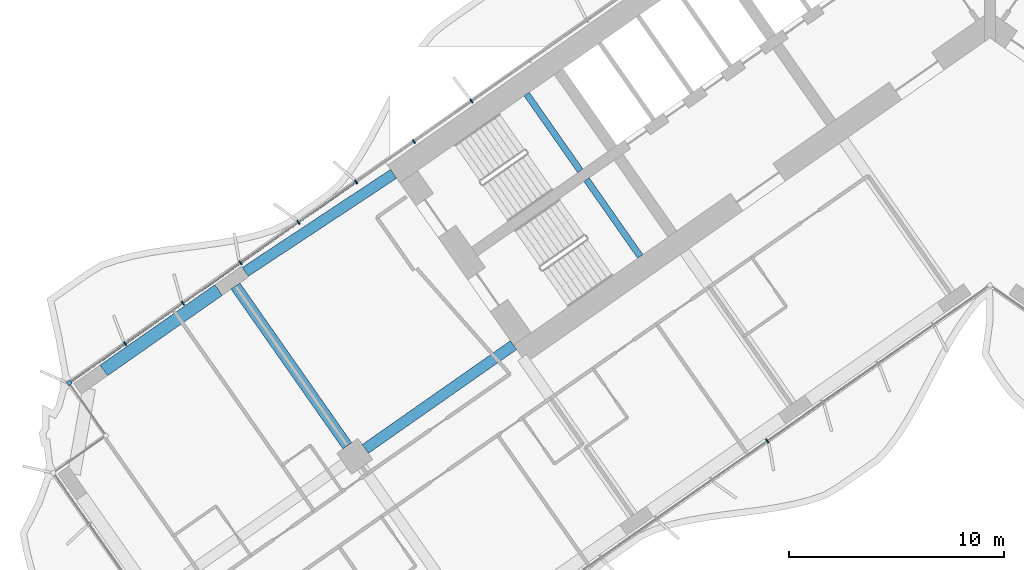
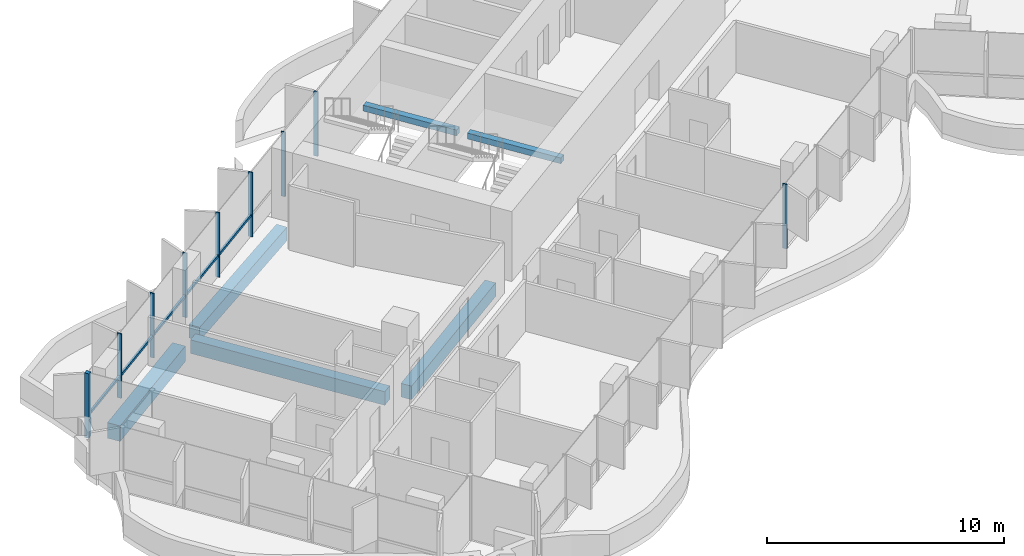
# One storey, part 4 of 24: 10 members, 6 beams, 2 elements without a shape of their own.
"""IFC4 building model written with IfcOpenShell, lengths in metres."""

from ifc_helpers import new_model, si_unit, direction, frame, origin, origin_2d, place, context, subcontext, project, spatial, rectangle, extrude, material, material_profile, profile_set, type_object, element, aggregate, save


model = new_model("IFC4")

# Units and contexts
model_context = context("Model", 3, precision=1e-05, world=origin(), true_north=direction((0.0, 1.0)))
body_context = subcontext(model_context, "Body", "Model", "MODEL_VIEW")
ifc_project = project(units=[si_unit("LENGTHUNIT", "METRE"), si_unit("AREAUNIT", "SQUARE_METRE"), si_unit("VOLUMEUNIT", "CUBIC_METRE"), si_unit("PLANEANGLEUNIT", "RADIAN"), si_unit("MASSUNIT", "GRAM", prefix="KILO")], contexts=[model_context])

# Site, building, storey
site_placement = place(None, origin())
site = spatial("IfcSite", under=ifc_project, at=site_placement, CompositionType="ELEMENT")
building_placement = place(site_placement, origin())
building = spatial("IfcBuilding", under=site, at=building_placement, Name="Tel Ilan Convention Tower", CompositionType="ELEMENT")
storey_placement = place(building_placement, frame((0.0, 0.0, 65.300048828125)))
storey = spatial("IfcBuildingStorey", under=building, at=storey_placement, Name="L11", CompositionType="ELEMENT", Elevation=65.300048828125)

# Beams
ifc_material_1 = material(Name="Concrete C40/50", Category="concrete")
ifc_material_profile_1 = material_profile(ifc_material_1, rectangle(XDim=0.5, YDim=0.699951171875, at=origin_2d()), Name="RC 500x700")
ifc_profile_set_1 = profile_set([ifc_material_profile_1], Name="Concrete C40/50")
beam_type_1 = type_object("IfcBeamType", Name="Beam RC 500x700 Concrete C40/50", PredefinedType="BEAM", material=ifc_profile_set_1)
beam_1_placement = place(storey_placement, frame((-34.570556640625, -12.08447265625, -0.630126953125), z_axis=(0.834273603487, 0.551350663847, 0.0), x_axis=(-0.551350663847, 0.834273603487, 0.0)))
element("IfcBeam", 1, at=beam_1_placement, inside=storey, type_object=beam_type_1, Name="L11 beam W-W-B4-core", PredefinedType="BEAM", context=body_context, shape_type="SweptSolid", body=[
    extrude(rectangle(XDim=0.5, YDim=0.699951171875, at=origin_2d()), origin(), (0.0, 0.0, 1.0), 8.2529296875),
])
beam_2_placement = place(storey_placement, frame((-22.1171875, -15.486572265625, -0.630126953125), z_axis=(-0.819147254605, -0.573583276668, 0.0), x_axis=(0.573583276668, -0.819147254605, 0.0)))
element("IfcBeam", 2, at=beam_2_placement, inside=storey, type_object=beam_type_1, Name="L11 beam W-core-W-M4", PredefinedType="BEAM", context=body_context, shape_type="SweptSolid", body=[
    extrude(rectangle(XDim=0.5, YDim=0.699951171875, at=origin_2d()), origin(), (0.0, 0.0, 1.0), 8.400146484375),
])
beam_3_placement = place(storey_placement, frame((-29.83349609375, -20.1572265625, -0.630126953125), z_axis=(-0.57358002233, 0.819149533348, 0.0), x_axis=(-0.819149533348, -0.57358002233, 0.0)))
element("IfcBeam", 3, at=beam_3_placement, inside=storey, type_object=beam_type_1, Name="L11 beam W-W-M4-W-B4", PredefinedType="BEAM", context=body_context, shape_type="SweptSolid", body=[
    extrude(rectangle(XDim=0.5, YDim=0.699951171875, at=origin_2d()), origin(), (0.0, 0.0, 1.0), 9.050048828125),
])
ifc_material_2 = material(Name="Concrete C40/50", Category="concrete")
ifc_material_profile_2 = material_profile(ifc_material_2, rectangle(XDim=0.60009765625, YDim=0.800048828125, at=origin_2d()), Name="RC 600x800")
ifc_profile_set_2 = profile_set([ifc_material_profile_2], Name="Concrete C40/50")
beam_type_2 = type_object("IfcBeamType", Name="Beam RC 600x800 Concrete C40/50", PredefinedType="BEAM", material=ifc_profile_set_2)
beam_4_placement = place(storey_placement, frame((-41.135498046875, -16.656494140625, -0.679931640625), z_axis=(0.819178980414, 0.573537965655, 0.0), x_axis=(-0.573537965655, 0.819178980414, 0.0)))
element("IfcBeam", 4, at=beam_4_placement, inside=storey, type_object=beam_type_2, Name="L11 beam W-W-BC-W-B4", PredefinedType="BEAM", context=body_context, shape_type="SweptSolid", body=[
    extrude(rectangle(XDim=0.60009765625, YDim=0.800048828125, at=origin_2d()), origin(), (0.0, 0.0, 1.0), 6.5),
])

# Curtain wall, member
ifc_material_3 = material(Name="Aluminium, bronze anodised", Category="aluminium")
curtain_wall_type_1 = type_object("IfcCurtainWallType", Name="CW1 UNITISED CURTAIN WALL, HOTEL TINTED GLASS", PredefinedType="NOTDEFINED", material=ifc_material_3)
curtain_wall_1_placement = place(storey_placement, origin())
curtain_wall_1 = element("IfcCurtainWall", 5, at=curtain_wall_1_placement, inside=storey, type_object=curtain_wall_type_1, Name="Curtain wall CW1-12.02", PredefinedType="NOTDEFINED")
ifc_material_4 = material(Name="Aluminium, bronze anodised", Category="aluminium")
ifc_material_profile_3 = material_profile(ifc_material_4, rectangle(XDim=0.199951171875, YDim=0.199951171875, at=origin_2d()), Name="CW CORNER MULLION 200x200")
ifc_profile_set_3 = profile_set([ifc_material_profile_3], Name="Aluminium, bronze anodised")
member_type_1 = type_object("IfcMemberType", Name="CW CORNER MULLION 200x200", PredefinedType="MULLION", material=ifc_profile_set_3)
member_1_placement = place(storey_placement, frame((-42.7451171875, -17.234375, 0.0), z_axis=(0.0, 0.0, 1.0), x_axis=(-0.819152044289, -0.573576436351, 0.0)))
member_1 = element("IfcMember", 6, at=member_1_placement, type_object=member_type_1, Name="Corner mullion", PredefinedType="MULLION", context=body_context, shape_type="SweptSolid", body=[
    extrude(rectangle(XDim=0.199951171875, YDim=0.199951171875, at=origin_2d()), origin(), (0.0, 0.0, 1.0), 3.320068359375),
])

# Curtain wall, members
ifc_material_5 = material(Name="Aluminium, bronze anodised", Category="aluminium")
curtain_wall_type_2 = type_object("IfcCurtainWallType", Name="CW2 STICK CURTAIN WALL, SPANDREL PANELS", PredefinedType="NOTDEFINED", material=ifc_material_5)
curtain_wall_2_placement = place(storey_placement, origin())
curtain_wall_2 = element("IfcCurtainWall", 7, at=curtain_wall_2_placement, inside=storey, type_object=curtain_wall_type_2, Name="Curtain wall CW2-12.01", PredefinedType="NOTDEFINED")
ifc_material_6 = material(Name="Aluminium, bronze anodised", Category="aluminium")
ifc_material_profile_4 = material_profile(ifc_material_6, rectangle(XDim=0.06005859375, YDim=0.199951171875, at=origin_2d()), Name="CW MULLION 60x200")
ifc_profile_set_4 = profile_set([ifc_material_profile_4], Name="Aluminium, bronze anodised")
member_type_2 = type_object("IfcMemberType", Name="CW MULLION 60x200", PredefinedType="MULLION", material=ifc_profile_set_4)
member_2_placement = place(storey_placement, frame((-24.065185546875, -4.154541015625, 0.0), z_axis=(0.0, 0.0, 1.0), x_axis=(-0.819152044289, -0.573576436351, 0.0)))
member_2 = element("IfcMember", 8, at=member_2_placement, type_object=member_type_2, Name="Mullion", PredefinedType="MULLION", context=body_context, shape_type="SweptSolid", body=[
    extrude(rectangle(XDim=0.06005859375, YDim=0.199951171875, at=origin_2d()), origin(), (0.0, 0.0, 1.0), 3.320068359375),
])
member_3_placement = place(storey_placement, frame((-26.745361328125, -6.03125, 0.0), z_axis=(0.0, 0.0, 1.0), x_axis=(-0.819152044289, -0.573576436351, 0.0)))
member_3 = element("IfcMember", 9, at=member_3_placement, type_object=member_type_2, Name="Mullion", PredefinedType="MULLION", context=body_context, shape_type="SweptSolid", body=[
    extrude(rectangle(XDim=0.06005859375, YDim=0.199951171875, at=origin_2d()), origin(), (0.0, 0.0, 1.0), 3.320068359375),
])
member_4_placement = place(storey_placement, frame((-29.42578125, -7.907958984375, 0.0), z_axis=(0.0, 0.0, 1.0), x_axis=(-0.819152044289, -0.573576436351, 0.0)))
member_4 = element("IfcMember", 10, at=member_4_placement, type_object=member_type_2, Name="Mullion", PredefinedType="MULLION", context=body_context, shape_type="SweptSolid", body=[
    extrude(rectangle(XDim=0.06005859375, YDim=0.199951171875, at=origin_2d()), origin(), (0.0, 0.0, 1.0), 3.320068359375),
])
aggregate(curtain_wall_2, [member_2, member_3, member_4])

# Member
member_5_placement = place(storey_placement, frame((-32.10595703125, -9.78466796875, 0.0), z_axis=(0.0, 0.0, 1.0), x_axis=(-0.819152044289, -0.573576436351, 0.0)))
member_5 = element("IfcMember", 11, at=member_5_placement, type_object=member_type_2, Name="Mullion", PredefinedType="MULLION", context=body_context, shape_type="SweptSolid", body=[
    extrude(rectangle(XDim=0.06005859375, YDim=0.199951171875, at=origin_2d()), origin(), (0.0, 0.0, 1.0), 3.320068359375),
])

member_6_placement = place(storey_placement, frame((-34.7861328125, -11.66162109375, 0.0), z_axis=(0.0, 0.0, 1.0), x_axis=(-0.819152044289, -0.573576436351, 0.0)))
member_6 = element("IfcMember", 12, at=member_6_placement, type_object=member_type_2, Name="Mullion", PredefinedType="MULLION", context=body_context, shape_type="SweptSolid", body=[
    extrude(rectangle(XDim=0.06005859375, YDim=0.199951171875, at=origin_2d()), origin(), (0.0, 0.0, 1.0), 3.320068359375),
])

member_7_placement = place(storey_placement, frame((-37.466552734375, -13.538330078125, 0.0), z_axis=(0.0, 0.0, 1.0), x_axis=(-0.819152044289, -0.573576436351, 0.0)))
member_7 = element("IfcMember", 13, at=member_7_placement, type_object=member_type_2, Name="Mullion", PredefinedType="MULLION", context=body_context, shape_type="SweptSolid", body=[
    extrude(rectangle(XDim=0.06005859375, YDim=0.199951171875, at=origin_2d()), origin(), (0.0, 0.0, 1.0), 3.320068359375),
])

member_8_placement = place(storey_placement, frame((-40.146728515625, -15.4150390625, 0.0), z_axis=(0.0, 0.0, 1.0), x_axis=(-0.819152044289, -0.573576436351, 0.0)))
member_8 = element("IfcMember", 14, at=member_8_placement, type_object=member_type_2, Name="Mullion", PredefinedType="MULLION", context=body_context, shape_type="SweptSolid", body=[
    extrude(rectangle(XDim=0.06005859375, YDim=0.199951171875, at=origin_2d()), origin(), (0.0, 0.0, 1.0), 3.320068359375),
])

member_9_placement = place(storey_placement, frame((-10.337158203125, -19.93408203125, 0.0), z_axis=(0.0, 0.0, 1.0), x_axis=(0.819152044289, 0.573576436351, 0.0)))
member_9 = element("IfcMember", 15, at=member_9_placement, type_object=member_type_2, Name="Mullion", PredefinedType="MULLION", context=body_context, shape_type="SweptSolid", body=[
    extrude(rectangle(XDim=0.06005859375, YDim=0.199951171875, at=origin_2d()), origin(), (0.0, 0.0, 1.0), 3.320068359375),
])

ifc_material_7 = material(Name="Aluminium, bronze anodised", Category="aluminium")
ifc_material_profile_5 = material_profile(ifc_material_7, rectangle(XDim=0.10009765625, YDim=0.1201171875, at=origin_2d()), Name="CW TRANSOM 100x120")
ifc_profile_set_5 = profile_set([ifc_material_profile_5], Name="Aluminium, bronze anodised")
member_type_3 = type_object("IfcMemberType", Name="CW TRANSOM 100x120", PredefinedType="USERDEFINED", material=ifc_profile_set_5)
member_10_placement = place(storey_placement, frame((-29.4501953125, -7.92529296875, 1.099853515625), z_axis=(-0.819153693934, -0.573574080407, 0.0), x_axis=(0.573574080407, -0.819153693934, 0.0)))
member_10 = element("IfcMember", 16, at=member_10_placement, type_object=member_type_3, Name="Transom", ObjectType="TRANSOM", PredefinedType="USERDEFINED", context=body_context, shape_type="SweptSolid", body=[
    extrude(rectangle(XDim=0.10009765625, YDim=0.1201171875, at=origin_2d()), origin(), (0.0, 0.0, 1.0), 16.1298828125),
])

aggregate(curtain_wall_1, [member_5, member_6, member_7, member_8, member_1, member_10, member_9])

# Beams
ifc_material_8 = material(Name="Concrete C40/50", Category="concrete")
ifc_material_profile_6 = material_profile(ifc_material_8, rectangle(XDim=0.300048828125, YDim=0.300048828125, at=origin_2d()), Name="RC 300x300")
ifc_profile_set_6 = profile_set([ifc_material_profile_6], Name="Concrete C40/50")
beam_type_3 = type_object("IfcBeamType", Name="Landing Beam RC 300x300 Concrete C40/50", PredefinedType="BEAM", material=ifc_profile_set_6)
beam_5_placement = place(storey_placement, frame((-19.013671875, -7.392822265625, 1.449951171875), z_axis=(-0.57356780395, 0.819158088694, 0.0), x_axis=(-0.819158088694, -0.57356780395, 0.0)))
element("IfcBeam", 17, at=beam_5_placement, inside=storey, type_object=beam_type_3, Name="S1 landing beam L11.1", PredefinedType="BEAM", context=body_context, shape_type="SweptSolid", body=[
    extrude(rectangle(XDim=0.300048828125, YDim=0.300048828125, at=origin_2d()), origin(), (0.0, 0.0, 1.0), 4.35009765625),
])
beam_6_placement = place(storey_placement, frame((-16.231689453125, -11.365478515625, 1.449951171875), z_axis=(-0.573594173421, 0.819139624372, 0.0), x_axis=(-0.819139624372, -0.573594173421, 0.0)))
element("IfcBeam", 18, at=beam_6_placement, inside=storey, type_object=beam_type_3, Name="S2 landing beam L11.1", PredefinedType="BEAM", context=body_context, shape_type="SweptSolid", body=[
    extrude(rectangle(XDim=0.300048828125, YDim=0.300048828125, at=origin_2d()), origin(), (0.0, 0.0, 1.0), 4.349853515625),
])

save(model, "model.ifc")
